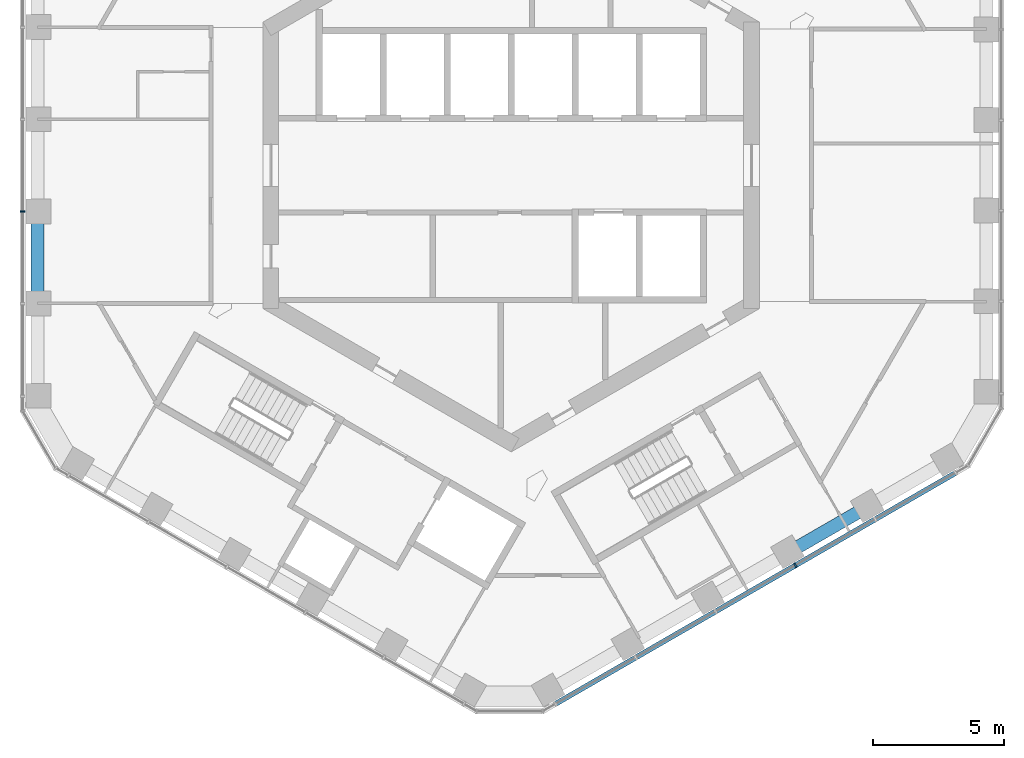
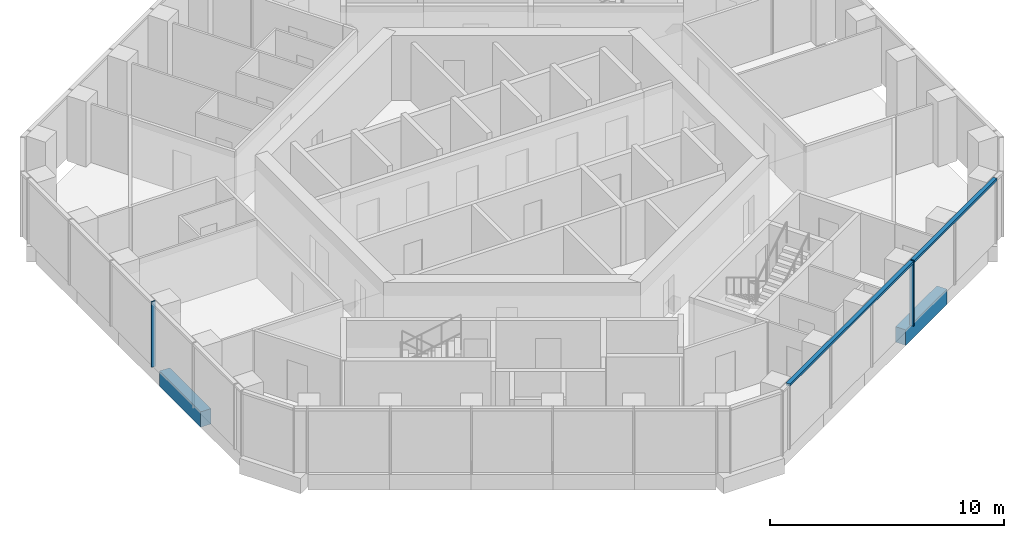
# One storey, part 3 of 19: 3 members, 2 beams, 2 elements without a shape of their own.
"""IFC4 building model written with IfcOpenShell, lengths in metres."""

from ifc_helpers import new_model, si_unit, direction, frame, origin, origin_2d, place, context, subcontext, project, spatial, rectangle, extrude, material, layer, layer_set, material_profile, profile_set, type_object, element, aggregate, save


model = new_model("IFC4")

# Units and contexts
model_context = context("Model", 3, precision=1e-05, world=origin(), true_north=direction((0.0, 1.0)))
body_context = subcontext(model_context, "Body", "Model", "MODEL_VIEW")
ifc_project = project(units=[si_unit("LENGTHUNIT", "METRE"), si_unit("AREAUNIT", "SQUARE_METRE"), si_unit("VOLUMEUNIT", "CUBIC_METRE"), si_unit("PLANEANGLEUNIT", "RADIAN"), si_unit("MASSUNIT", "GRAM", prefix="KILO")], contexts=[model_context])

# Site, building, storey
site_placement = place(None, origin())
site = spatial("IfcSite", under=ifc_project, at=site_placement, CompositionType="ELEMENT")
building_placement = place(site_placement, origin())
building = spatial("IfcBuilding", under=site, at=building_placement, Name="Ayvan Gate Tower", CompositionType="ELEMENT")
storey_placement = place(building_placement, frame((0.0, 0.0, 156.10009765625)))
storey = spatial("IfcBuildingStorey", under=building, at=storey_placement, Name="L41", CompositionType="ELEMENT", Elevation=156.10009765625)

# Beams
ifc_material_1 = material(Name="Concrete C40/50", Category="concrete")
ifc_material_profile_1 = material_profile(ifc_material_1, rectangle(XDim=0.5, YDim=0.800048828125, at=origin_2d()), Name="RC 500x800")
ifc_profile_set_1 = profile_set([ifc_material_profile_1], Name="Concrete C40/50")
beam_type = type_object("IfcBeamType", Name="Spandrel beam RC 500x800 C40/50", PredefinedType="BEAM", material=ifc_profile_set_1)
for number, where, z_axis, x_axis, name in (
    (1, (-18.140380859375, -1.759033203125, -0.75), (0.0, -1.0, 0.0), (1.0, 0.0, 0.0), "SB-L41-22"),
    (2, (10.593505859375, -14.83056640625, -0.75), (0.86600065965, 0.500042855648, 0.0), (-0.500042855648, 0.86600065965, 0.0), "SB-L41-34"),
):
    element("IfcBeam", number, at=place(storey_placement, frame(where, z_axis=z_axis, x_axis=x_axis)), inside=storey, type_object=beam_type, Name=name, PredefinedType="BEAM", context=body_context, shape_type="SweptSolid", body=[
        extrude(rectangle(XDim=0.5, YDim=0.800048828125, at=origin_2d()), origin(), (0.0, 0.0, 1.0), 3.517822265625),
    ])

# Curtain wall, member
ifc_material_2 = material(Name="Bronze anodised aluminium", Category="aluminium")
ifc_layer = layer(ifc_material_2, 0.199951171875)
ifc_layer_set = layer_set([ifc_layer], Name="Bronze anodised aluminium")
curtain_wall_type = type_object("IfcCurtainWallType", Name="Stick curtain wall CW-2", PredefinedType="NOTDEFINED", material=ifc_layer_set)
curtain_wall_1_placement = place(storey_placement, origin())
curtain_wall_1 = element("IfcCurtainWall", 3, at=curtain_wall_1_placement, inside=storey, type_object=curtain_wall_type, Name="Stick curtain wall CW-2 L41", PredefinedType="NOTDEFINED")
ifc_material_profile_2 = material_profile(ifc_material_2, rectangle(XDim=0.199951171875, YDim=0.070068359375, at=origin_2d()), Name="Stick curtain wall CW-2 mullion 200 x 70")
ifc_profile_set_2 = profile_set([ifc_material_profile_2], Name="Bronze anodised aluminium")
member_type_1 = type_object("IfcMemberType", Name="Stick curtain wall CW-2 mullion 200 x 70", PredefinedType="MULLION", material=ifc_profile_set_2)
member_1_placement = place(storey_placement, frame((-18.7021484375, -1.76416015625, 0.0), z_axis=(0.0, 0.0, 1.0), x_axis=(-1.0, 0.0, 0.0)))
member_1 = element("IfcMember", 4, at=member_1_placement, type_object=member_type_1, Name="CW-2 mullion 4", PredefinedType="MULLION", context=body_context, shape_type="SweptSolid", body=[
    extrude(rectangle(XDim=0.199951171875, YDim=0.070068359375, at=origin_2d()), origin(), (0.0, 0.0, 1.0), 3.39990234375),
])
aggregate(curtain_wall_1, [member_1])

# Curtain wall, members
curtain_wall_2_placement = place(storey_placement, origin())
curtain_wall_2 = element("IfcCurtainWall", 5, at=curtain_wall_2_placement, inside=storey, type_object=curtain_wall_type, Name="Stick curtain wall CW-2 L41", PredefinedType="NOTDEFINED")
member_2_placement = place(storey_placement, frame((10.87890625, -15.314453125, 0.0), z_axis=(0.0, 0.0, 1.0), x_axis=(0.5, -0.866025403784, 0.0)))
member_2 = element("IfcMember", 6, at=member_2_placement, type_object=member_type_1, Name="CW-2 mullion 4", PredefinedType="MULLION", context=body_context, shape_type="SweptSolid", body=[
    extrude(rectangle(XDim=0.199951171875, YDim=0.070068359375, at=origin_2d()), origin(), (0.0, 0.0, 1.0), 3.39990234375),
])
ifc_material_profile_3 = material_profile(ifc_material_2, rectangle(XDim=0.199951171875, YDim=0.1201171875, at=origin_2d()), Name="Stick curtain wall CW-2 transom 200 x 120")
ifc_profile_set_3 = profile_set([ifc_material_profile_3], Name="Bronze anodised aluminium")
member_type_2 = type_object("IfcMemberType", Name="Stick curtain wall CW-2 transom 200 x 120", PredefinedType="USERDEFINED", material=ifc_profile_set_3)
member_3_placement = place(storey_placement, frame((1.69287109375, -20.617919921875, 3.33984375), z_axis=(0.866029268111, 0.49999330673, 0.0), x_axis=(-0.49999330673, 0.866029268111, 0.0)))
member_3 = element("IfcMember", 7, at=member_3_placement, type_object=member_type_2, Name="CW-2 transom 1", ObjectType="TRANSOM", PredefinedType="USERDEFINED", context=body_context, shape_type="SweptSolid", body=[
    extrude(rectangle(XDim=0.199951171875, YDim=0.1201171875, at=origin_2d()), origin(), (0.0, 0.0, 1.0), 17.685791015625),
])
aggregate(curtain_wall_2, [member_2, member_3])

save(model, "model.ifc")
